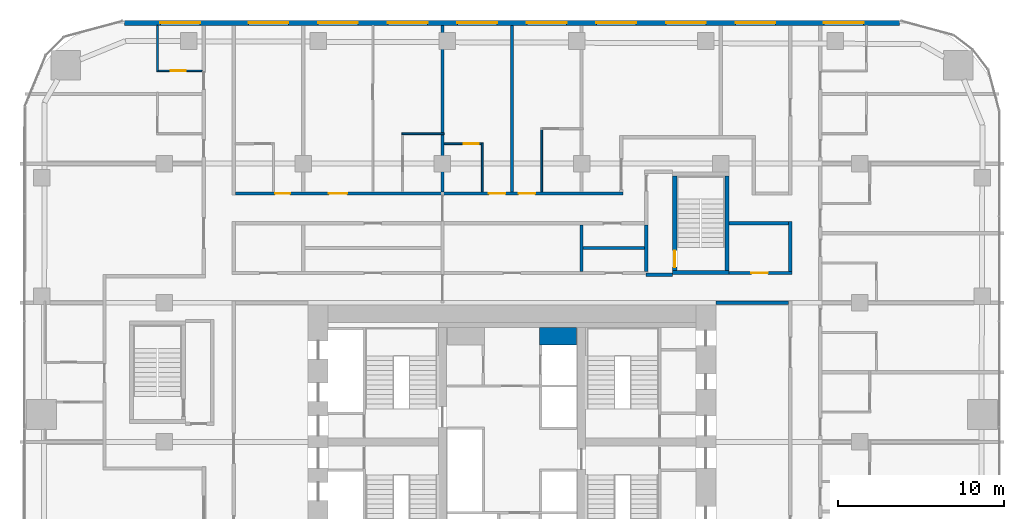
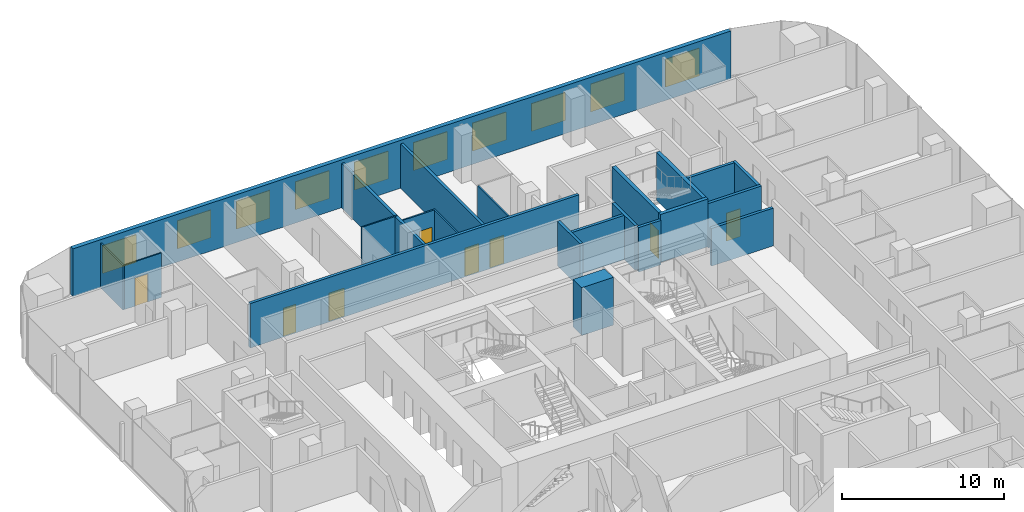
# One storey, part 22 of 26: 22 walls, 10 windows, 8 doors, 18 openings.
"""IFC4 building model written with IfcOpenShell, lengths in metres."""

from ifc_helpers import new_model, si_unit, direction, frame, frame_2d, origin, place, context, subcontext, project, spatial, rectangle, extrude, material, layer, layer_set, type_object, element, fill, save


model = new_model("IFC4")

# Units and contexts
model_context = context("Model", 3, precision=1e-05, world=origin(), true_north=direction((0.0, 1.0)))
body_context = subcontext(model_context, "Body", "Model", "MODEL_VIEW")
ifc_project = project(units=[si_unit("LENGTHUNIT", "METRE"), si_unit("AREAUNIT", "SQUARE_METRE"), si_unit("VOLUMEUNIT", "CUBIC_METRE"), si_unit("PLANEANGLEUNIT", "RADIAN"), si_unit("MASSUNIT", "GRAM", prefix="KILO")], contexts=[model_context])

# Site, building, storey
site_placement = place(None, origin())
site = spatial("IfcSite", under=ifc_project, at=site_placement, CompositionType="ELEMENT")
building_placement = place(site_placement, origin())
building = spatial("IfcBuilding", under=site, at=building_placement, Name="Marenta Gate Hotel Tower", CompositionType="ELEMENT")
storey_placement = place(building_placement, frame((0.0, 0.0, 79.699951171875)))
storey = spatial("IfcBuildingStorey", under=building, at=storey_placement, Name="L18", CompositionType="ELEMENT", Elevation=79.699951171875)

# Wall, openings, windows
ifc_material_1 = material(Name="Concrete C40 board-marked", Category="concrete")
ifc_layer_1 = layer(ifc_material_1, 0.300048828125)
ifc_layer_set_1 = layer_set([ifc_layer_1], Name="Concrete C40 board-marked")
wall_type_1 = type_object("IfcWallType", Name="Board-marked concrete wall 300 mm", PredefinedType="NOTDEFINED", material=ifc_layer_set_1)
wall_1_placement = place(storey_placement, frame((23.406005859375, 33.68994140625, 0.0), z_axis=(0.0, 0.0, 1.0), x_axis=(-1.0, 0.0, 0.0)))
wall_1 = element("IfcWall", 1, at=wall_1_placement, inside=storey, type_object=wall_type_1, Name="L18-CLD-N00", PredefinedType="NOTDEFINED", context=body_context, shape_type="SweptSolid", body=[
    extrude(rectangle(XDim=46.81201171875, YDim=0.300048828125, at=frame_2d((23.406005859375, 0.0))), origin(), (0.0, 0.0, 1.0), 3.60009765625),
])
opening_1_placement = place(wall_1_placement, frame((2.185791015625, 0.0, 0.89990234375)))
opening_1 = element("IfcOpeningElement", 2, at=opening_1_placement, cuts=wall_1, Name="Opening W1", PredefinedType="OPENING", context=body_context, shape_type="SweptSolid", body=[
    extrude(rectangle(XDim=2.39990234375, YDim=2.10009765625, at=frame_2d((1.199951171875, 1.050048828125))), frame((0.0, 0.14990234375, 0.0), z_axis=(0.0, -1.0, 0.0), x_axis=(1.0, 0.0, 0.0)), (0.0, 0.0, 1.0), 0.300048828125),
])
opening_2_placement = place(wall_1_placement, frame((7.505859375, 0.0, 0.89990234375)))
opening_2 = element("IfcOpeningElement", 3, at=opening_2_placement, cuts=wall_1, Name="Opening W1", PredefinedType="OPENING", context=body_context, shape_type="SweptSolid", body=[
    extrude(rectangle(XDim=2.39990234375, YDim=2.10009765625, at=frame_2d((1.199951171875, 1.050048828125))), frame((0.0, 0.14990234375, 0.0), z_axis=(0.0, -1.0, 0.0), x_axis=(1.0, 0.0, 0.0)), (0.0, 0.0, 1.0), 0.300048828125),
])
opening_3_placement = place(wall_1_placement, frame((11.705810546875, 0.0, 0.89990234375)))
opening_3 = element("IfcOpeningElement", 4, at=opening_3_placement, cuts=wall_1, Name="Opening W1", PredefinedType="OPENING", context=body_context, shape_type="SweptSolid", body=[
    extrude(rectangle(XDim=2.39990234375, YDim=2.10009765625, at=frame_2d((1.199951171875, 1.050048828125))), frame((0.0, 0.14990234375, 0.0), z_axis=(0.0, -1.0, 0.0), x_axis=(1.0, 0.0, 0.0)), (0.0, 0.0, 1.0), 0.300048828125),
])
opening_4_placement = place(wall_1_placement, frame((15.906005859375, 0.0, 0.89990234375)))
opening_4 = element("IfcOpeningElement", 5, at=opening_4_placement, cuts=wall_1, Name="Opening W1", PredefinedType="OPENING", context=body_context, shape_type="SweptSolid", body=[
    extrude(rectangle(XDim=2.39990234375, YDim=2.10009765625, at=frame_2d((1.199951171875, 1.050048828125))), frame((0.0, 0.14990234375, 0.0), z_axis=(0.0, -1.0, 0.0), x_axis=(1.0, 0.0, 0.0)), (0.0, 0.0, 1.0), 0.300048828125),
])
opening_5_placement = place(wall_1_placement, frame((20.10595703125, 0.0, 0.89990234375)))
opening_5 = element("IfcOpeningElement", 6, at=opening_5_placement, cuts=wall_1, Name="Opening W1", PredefinedType="OPENING", context=body_context, shape_type="SweptSolid", body=[
    extrude(rectangle(XDim=2.39990234375, YDim=2.10009765625, at=frame_2d((1.199951171875, 1.050048828125))), frame((0.0, 0.14990234375, 0.0), z_axis=(0.0, -1.0, 0.0), x_axis=(1.0, 0.0, 0.0)), (0.0, 0.0, 1.0), 0.300048828125),
])
opening_6_placement = place(wall_1_placement, frame((24.305908203125, 0.0, 0.89990234375)))
opening_6 = element("IfcOpeningElement", 7, at=opening_6_placement, cuts=wall_1, Name="Opening W1", PredefinedType="OPENING", context=body_context, shape_type="SweptSolid", body=[
    extrude(rectangle(XDim=2.39990234375, YDim=2.10009765625, at=frame_2d((1.199951171875, 1.050048828125))), frame((0.0, 0.14990234375, 0.0), z_axis=(0.0, -1.0, 0.0), x_axis=(1.0, 0.0, 0.0)), (0.0, 0.0, 1.0), 0.300048828125),
])
opening_7_placement = place(wall_1_placement, frame((28.505859375, 0.0, 0.89990234375)))
opening_7 = element("IfcOpeningElement", 8, at=opening_7_placement, cuts=wall_1, Name="Opening W1", PredefinedType="OPENING", context=body_context, shape_type="SweptSolid", body=[
    extrude(rectangle(XDim=2.39990234375, YDim=2.10009765625, at=frame_2d((1.199951171875, 1.050048828125))), frame((0.0, 0.14990234375, 0.0), z_axis=(0.0, -1.0, 0.0), x_axis=(1.0, 0.0, 0.0)), (0.0, 0.0, 1.0), 0.300048828125),
])
opening_8_placement = place(wall_1_placement, frame((32.705810546875, 0.0, 0.89990234375)))
opening_8 = element("IfcOpeningElement", 9, at=opening_8_placement, cuts=wall_1, Name="Opening W1", PredefinedType="OPENING", context=body_context, shape_type="SweptSolid", body=[
    extrude(rectangle(XDim=2.39990234375, YDim=2.10009765625, at=frame_2d((1.199951171875, 1.050048828125))), frame((0.0, 0.14990234375, 0.0), z_axis=(0.0, -1.0, 0.0), x_axis=(1.0, 0.0, 0.0)), (0.0, 0.0, 1.0), 0.300048828125),
])
opening_9_placement = place(wall_1_placement, frame((36.906005859375, 0.0, 0.89990234375)))
opening_9 = element("IfcOpeningElement", 10, at=opening_9_placement, cuts=wall_1, Name="Opening W1", PredefinedType="OPENING", context=body_context, shape_type="SweptSolid", body=[
    extrude(rectangle(XDim=2.39990234375, YDim=2.10009765625, at=frame_2d((1.199951171875, 1.050048828125))), frame((0.0, 0.14990234375, 0.0), z_axis=(0.0, -1.0, 0.0), x_axis=(1.0, 0.0, 0.0)), (0.0, 0.0, 1.0), 0.300048828125),
])
opening_10_placement = place(wall_1_placement, frame((42.225830078125, 0.0, 0.89990234375)))
opening_10 = element("IfcOpeningElement", 11, at=opening_10_placement, cuts=wall_1, Name="Opening W1", PredefinedType="OPENING", context=body_context, shape_type="SweptSolid", body=[
    extrude(rectangle(XDim=2.39990234375, YDim=2.10009765625, at=frame_2d((1.199951171875, 1.050048828125))), frame((0.0, 0.14990234375, 0.0), z_axis=(0.0, -1.0, 0.0), x_axis=(1.0, 0.0, 0.0)), (0.0, 0.0, 1.0), 0.300048828125),
])
ifc_material_2 = material(Name="Tinted insulated glass in bronze anodised frame", Category="glass")
window_type = type_object("IfcWindowType", Name="Window W1 2400x2100 bronze frame", PartitioningType="SINGLE_PANEL", PredefinedType="WINDOW", material=ifc_material_2)
window_1_placement = place(opening_1_placement, origin())
window_1 = element("IfcWindow", 12, at=window_1_placement, inside=storey, type_object=window_type, Name="Window W1", OverallHeight=2.10009765625, OverallWidth=2.39990234375, PartitioningType="SINGLE_PANEL", PredefinedType="WINDOW", context=body_context, shape_type="SweptSolid", body=[
    extrude(rectangle(XDim=2.39990234375, YDim=2.10009765625, at=frame_2d((1.199951171875, 1.050048828125))), frame((0.0, 0.030029296875, 0.0), z_axis=(0.0, -1.0, 0.0), x_axis=(1.0, 0.0, 0.0)), (0.0, 0.0, 1.0), 0.06005859375),
])
fill(opening_1, window_1)
window_2_placement = place(opening_2_placement, origin())
window_2 = element("IfcWindow", 13, at=window_2_placement, inside=storey, type_object=window_type, Name="Window W1", OverallHeight=2.10009765625, OverallWidth=2.39990234375, PartitioningType="SINGLE_PANEL", PredefinedType="WINDOW", context=body_context, shape_type="SweptSolid", body=[
    extrude(rectangle(XDim=2.39990234375, YDim=2.10009765625, at=frame_2d((1.199951171875, 1.050048828125))), frame((0.0, 0.030029296875, 0.0), z_axis=(0.0, -1.0, 0.0), x_axis=(1.0, 0.0, 0.0)), (0.0, 0.0, 1.0), 0.06005859375),
])
fill(opening_2, window_2)
window_3_placement = place(opening_3_placement, origin())
window_3 = element("IfcWindow", 14, at=window_3_placement, inside=storey, type_object=window_type, Name="Window W1", OverallHeight=2.10009765625, OverallWidth=2.39990234375, PartitioningType="SINGLE_PANEL", PredefinedType="WINDOW", context=body_context, shape_type="SweptSolid", body=[
    extrude(rectangle(XDim=2.39990234375, YDim=2.10009765625, at=frame_2d((1.199951171875, 1.050048828125))), frame((0.0, 0.030029296875, 0.0), z_axis=(0.0, -1.0, 0.0), x_axis=(1.0, 0.0, 0.0)), (0.0, 0.0, 1.0), 0.06005859375),
])
fill(opening_3, window_3)
window_4_placement = place(opening_4_placement, origin())
window_4 = element("IfcWindow", 15, at=window_4_placement, inside=storey, type_object=window_type, Name="Window W1", OverallHeight=2.10009765625, OverallWidth=2.39990234375, PartitioningType="SINGLE_PANEL", PredefinedType="WINDOW", context=body_context, shape_type="SweptSolid", body=[
    extrude(rectangle(XDim=2.39990234375, YDim=2.10009765625, at=frame_2d((1.199951171875, 1.050048828125))), frame((0.0, 0.030029296875, 0.0), z_axis=(0.0, -1.0, 0.0), x_axis=(1.0, 0.0, 0.0)), (0.0, 0.0, 1.0), 0.06005859375),
])
fill(opening_4, window_4)
window_5_placement = place(opening_5_placement, origin())
window_5 = element("IfcWindow", 16, at=window_5_placement, inside=storey, type_object=window_type, Name="Window W1", OverallHeight=2.10009765625, OverallWidth=2.39990234375, PartitioningType="SINGLE_PANEL", PredefinedType="WINDOW", context=body_context, shape_type="SweptSolid", body=[
    extrude(rectangle(XDim=2.39990234375, YDim=2.10009765625, at=frame_2d((1.199951171875, 1.050048828125))), frame((0.0, 0.030029296875, 0.0), z_axis=(0.0, -1.0, 0.0), x_axis=(1.0, 0.0, 0.0)), (0.0, 0.0, 1.0), 0.06005859375),
])
fill(opening_5, window_5)
window_6_placement = place(opening_6_placement, origin())
window_6 = element("IfcWindow", 17, at=window_6_placement, inside=storey, type_object=window_type, Name="Window W1", OverallHeight=2.10009765625, OverallWidth=2.39990234375, PartitioningType="SINGLE_PANEL", PredefinedType="WINDOW", context=body_context, shape_type="SweptSolid", body=[
    extrude(rectangle(XDim=2.39990234375, YDim=2.10009765625, at=frame_2d((1.199951171875, 1.050048828125))), frame((0.0, 0.030029296875, 0.0), z_axis=(0.0, -1.0, 0.0), x_axis=(1.0, 0.0, 0.0)), (0.0, 0.0, 1.0), 0.06005859375),
])
fill(opening_6, window_6)
window_7_placement = place(opening_7_placement, origin())
window_7 = element("IfcWindow", 18, at=window_7_placement, inside=storey, type_object=window_type, Name="Window W1", OverallHeight=2.10009765625, OverallWidth=2.39990234375, PartitioningType="SINGLE_PANEL", PredefinedType="WINDOW", context=body_context, shape_type="SweptSolid", body=[
    extrude(rectangle(XDim=2.39990234375, YDim=2.10009765625, at=frame_2d((1.199951171875, 1.050048828125))), frame((0.0, 0.030029296875, 0.0), z_axis=(0.0, -1.0, 0.0), x_axis=(1.0, 0.0, 0.0)), (0.0, 0.0, 1.0), 0.06005859375),
])
fill(opening_7, window_7)
window_8_placement = place(opening_8_placement, origin())
window_8 = element("IfcWindow", 19, at=window_8_placement, inside=storey, type_object=window_type, Name="Window W1", OverallHeight=2.10009765625, OverallWidth=2.39990234375, PartitioningType="SINGLE_PANEL", PredefinedType="WINDOW", context=body_context, shape_type="SweptSolid", body=[
    extrude(rectangle(XDim=2.39990234375, YDim=2.10009765625, at=frame_2d((1.199951171875, 1.050048828125))), frame((0.0, 0.030029296875, 0.0), z_axis=(0.0, -1.0, 0.0), x_axis=(1.0, 0.0, 0.0)), (0.0, 0.0, 1.0), 0.06005859375),
])
fill(opening_8, window_8)
window_9_placement = place(opening_9_placement, origin())
window_9 = element("IfcWindow", 20, at=window_9_placement, inside=storey, type_object=window_type, Name="Window W1", OverallHeight=2.10009765625, OverallWidth=2.39990234375, PartitioningType="SINGLE_PANEL", PredefinedType="WINDOW", context=body_context, shape_type="SweptSolid", body=[
    extrude(rectangle(XDim=2.39990234375, YDim=2.10009765625, at=frame_2d((1.199951171875, 1.050048828125))), frame((0.0, 0.030029296875, 0.0), z_axis=(0.0, -1.0, 0.0), x_axis=(1.0, 0.0, 0.0)), (0.0, 0.0, 1.0), 0.06005859375),
])
fill(opening_9, window_9)
window_10_placement = place(opening_10_placement, origin())
window_10 = element("IfcWindow", 21, at=window_10_placement, inside=storey, type_object=window_type, Name="Window W1", OverallHeight=2.10009765625, OverallWidth=2.39990234375, PartitioningType="SINGLE_PANEL", PredefinedType="WINDOW", context=body_context, shape_type="SweptSolid", body=[
    extrude(rectangle(XDim=2.39990234375, YDim=2.10009765625, at=frame_2d((1.199951171875, 1.050048828125))), frame((0.0, 0.030029296875, 0.0), z_axis=(0.0, -1.0, 0.0), x_axis=(1.0, 0.0, 0.0)), (0.0, 0.0, 1.0), 0.06005859375),
])
fill(opening_10, window_10)

# Walls
ifc_material_3 = material(Name="Concrete blockwork", Category="masonry")
ifc_layer_2 = layer(ifc_material_3, 0.199951171875)
ifc_layer_set_2 = layer_set([ifc_layer_2], Name="Concrete blockwork")
wall_type_2 = type_object("IfcWallType", Name="Compartment wall 200 REI 180", PredefinedType="PARTITIONING", material=ifc_layer_set_2)
wall_2_placement = place(storey_placement, frame((-4.199951171875, 23.5, 0.0), z_axis=(0.0, 0.0, 1.0), x_axis=(0.0, 1.0, 0.0)))
element("IfcWall", 22, at=wall_2_placement, inside=storey, type_object=wall_type_2, Name="L18-PTN-W080", PredefinedType="PARTITIONING", context=body_context, shape_type="SweptSolid", body=[
    extrude(rectangle(XDim=10.0400390625, YDim=0.199951171875, at=frame_2d((5.02001953125, 0.0))), origin(), (0.0, 0.0, 1.0), 3.340087890625),
])
ifc_material_4 = material(Name="Concrete blockwork", Category="masonry")
ifc_layer_3 = layer(ifc_material_4, 0.199951171875)
ifc_layer_set_3 = layer_set([ifc_layer_3], Name="Concrete blockwork")
wall_type_3 = type_object("IfcWallType", Name="Core boundary wall 200 REI 180", PredefinedType="PARTITIONING", material=ifc_layer_set_3)
wall_3_placement = place(storey_placement, frame((12.300048828125, 16.800048828125, 0.0), z_axis=(0.0, 0.0, 1.0), x_axis=(1.0, 0.0, 0.0)))
element("IfcWall", 23, at=wall_3_placement, inside=storey, type_object=wall_type_3, Name="L18-CP-EW-EN", PredefinedType="PARTITIONING", context=body_context, shape_type="SweptSolid", body=[
    extrude(rectangle(XDim=4.39990234375, YDim=0.199951171875, at=frame_2d((2.199951171875, 0.0))), origin(), (0.0, 0.0, 1.0), 2.840087890625),
])
ifc_material_5 = material(Name="Concrete C40", Category="concrete")
ifc_layer_4 = layer(ifc_material_5, 1.050048828125)
ifc_layer_set_4 = layer_set([ifc_layer_4], Name="Concrete C40")
wall_type_4 = type_object("IfcWallType", Name="Core shaft wall 1050 REI 180", PredefinedType="SHEAR", material=ifc_layer_set_4)
wall_4_placement = place(storey_placement, frame((1.64990234375, 14.77490234375, 0.0), z_axis=(0.0, 0.0, 1.0), x_axis=(1.0, 0.0, 0.0)))
element("IfcWall", 24, at=wall_4_placement, inside=storey, type_object=wall_type_4, Name="L18-SHF-CE-N-top", PredefinedType="SHEAR", context=body_context, shape_type="SweptSolid", body=[
    extrude(rectangle(XDim=2.25, YDim=1.050048828125, at=frame_2d((1.125, 0.0))), origin(), (0.0, 0.0, 1.0), 3.60009765625),
])
ifc_material_6 = material(Name="Concrete C40", Category="concrete")
ifc_layer_5 = layer(ifc_material_6, 0.25)
ifc_layer_set_5 = layer_set([ifc_layer_5], Name="Concrete C40")
wall_type_5 = type_object("IfcWallType", Name="Remote stair enclosure wall 250 REI 180", PredefinedType="SHEAR", material=ifc_layer_set_5)
wall_5_placement = place(storey_placement, frame((9.699951171875, 18.625, 0.10009765625), z_axis=(0.0, 0.0, 1.0), x_axis=(1.0, 0.0, 0.0)))
element("IfcWall", 25, at=wall_5_placement, inside=storey, type_object=wall_type_5, Name="L18-RS-Z1-4-W1", PredefinedType="SHEAR", context=body_context, shape_type="SweptSolid", body=[
    extrude(rectangle(XDim=3.400146484375, YDim=0.25, at=frame_2d((1.7001953125, 0.0))), origin(), (0.0, 0.0, 1.0), 3.599853515625),
])

# Wall, opening, door
wall_6_placement = place(storey_placement, frame((9.824951171875, 18.75, 0.10009765625), z_axis=(0.0, 0.0, 1.0), x_axis=(0.0, 1.0, 0.0)))
wall_6 = element("IfcWall", 26, at=wall_6_placement, inside=storey, type_object=wall_type_5, Name="L18-RS-Z1-4-W3", PredefinedType="SHEAR", context=body_context, shape_type="SweptSolid", body=[
    extrude(rectangle(XDim=5.699951171875, YDim=0.25, at=frame_2d((2.85009765625, 0.0))), origin(), (0.0, 0.0, 1.0), 3.599853515625),
])
opening_11_placement = place(wall_6_placement, frame((0.199951171875, 0.0, 0.0)))
opening_11 = element("IfcOpeningElement", 27, at=opening_11_placement, cuts=wall_6, Name="Opening VD", PredefinedType="OPENING", context=body_context, shape_type="SweptSolid", body=[
    extrude(rectangle(XDim=1.0, YDim=2.10009765625, at=frame_2d((0.5, 1.050048828125))), frame((0.0, 0.125, 0.0), z_axis=(0.0, -1.0, 0.0), x_axis=(1.0, 0.0, 0.0)), (0.0, 0.0, 1.0), 0.25),
])
ifc_material_7 = material(Name="Steel", Category="steel")
door_type_1 = type_object("IfcDoorType", Name="Stair vestibule door 1000x2100 FD60", OperationType="SINGLE_SWING_LEFT", PredefinedType="DOOR", material=ifc_material_7)
door_1_placement = place(opening_11_placement, origin())
door_1 = element("IfcDoor", 28, at=door_1_placement, inside=storey, type_object=door_type_1, Name="VD", OperationType="SINGLE_SWING_LEFT", OverallHeight=2.10009765625, OverallWidth=1.0, PredefinedType="DOOR", context=body_context, shape_type="SweptSolid", body=[
    extrude(rectangle(XDim=1.0, YDim=2.10009765625, at=frame_2d((0.5, 1.050048828125))), frame((0.0, 0.02490234375, 0.0), z_axis=(0.0, -1.0, 0.0), x_axis=(1.0, 0.0, 0.0)), (0.0, 0.0, 1.0), 0.050048828125),
])
fill(opening_11, door_1)

# Walls
wall_7_placement = place(storey_placement, frame((12.97509765625, 18.75, 0.10009765625), z_axis=(0.0, 0.0, 1.0), x_axis=(0.0, 1.0, 0.0)))
element("IfcWall", 29, at=wall_7_placement, inside=storey, type_object=wall_type_5, Name="L18-RS-Z1-4-W4", PredefinedType="SHEAR", context=body_context, shape_type="SweptSolid", body=[
    extrude(rectangle(XDim=5.699951171875, YDim=0.25, at=frame_2d((2.85009765625, 0.0))), origin(), (0.0, 0.0, 1.0), 3.599853515625),
])
ifc_material_8 = material(Name="Concrete blockwork", Category="masonry")
ifc_layer_6 = layer(ifc_material_8, 0.199951171875)
ifc_layer_set_6 = layer_set([ifc_layer_6], Name="Concrete blockwork")
wall_type_6 = type_object("IfcWallType", Name="Room corridor wall 200 EI 120", PredefinedType="PARTITIONING", material=ifc_layer_set_6)
wall_8_placement = place(storey_placement, frame((16.800048828125, 18.699951171875, 0.0), z_axis=(0.0, 0.0, 1.0), x_axis=(0.0, 1.0, 0.0)))
element("IfcWall", 30, at=wall_8_placement, inside=storey, type_object=wall_type_6, Name="L18-PTN-W018", PredefinedType="PARTITIONING", context=body_context, shape_type="SweptSolid", body=[
    extrude(rectangle(XDim=3.0, YDim=0.199951171875, at=frame_2d((1.5, 0.0))), origin(), (0.0, 0.0, 1.0), 3.340087890625),
])

# Wall, opening, door
wall_9_placement = place(storey_placement, frame((13.10009765625, 18.60009765625, 0.0), z_axis=(0.0, 0.0, 1.0), x_axis=(1.0, 0.0, 0.0)))
wall_9 = element("IfcWall", 31, at=wall_9_placement, inside=storey, type_object=wall_type_6, Name="L18-PTN-W119", PredefinedType="PARTITIONING", context=body_context, shape_type="SweptSolid", body=[
    extrude(rectangle(XDim=3.7998046875, YDim=0.199951171875, at=frame_2d((1.89990234375, 0.0))), origin(), (0.0, 0.0, 1.0), 3.340087890625),
])
opening_12_placement = place(wall_9_placement, frame((1.35009765625, 0.0, 0.0)))
opening_12 = element("IfcOpeningElement", 32, at=opening_12_placement, cuts=wall_9, Name="Opening G07-03", PredefinedType="OPENING", context=body_context, shape_type="SweptSolid", body=[
    extrude(rectangle(XDim=1.0, YDim=2.10009765625, at=frame_2d((0.5, 1.050048828125))), frame((0.0, 0.10009765625, 0.0), z_axis=(0.0, -1.0, 0.0), x_axis=(1.0, 0.0, 0.0)), (0.0, 0.0, 1.0), 0.199951171875),
])
ifc_material_9 = material(Name="Hollow steel door set", Category="steel")
door_type_2 = type_object("IfcDoorType", Name="Room service door 1000x2100 EI 60", OperationType="NOTDEFINED", PredefinedType="DOOR", material=ifc_material_9)
door_2_placement = place(opening_12_placement, origin())
door_2 = element("IfcDoor", 33, at=door_2_placement, inside=storey, type_object=door_type_2, Name="L18-PD-D003", OperationType="SINGLE_SWING_RIGHT", OverallHeight=2.10009765625, OverallWidth=1.0, PredefinedType="DOOR", context=body_context, shape_type="SweptSolid", body=[
    extrude(rectangle(XDim=1.0, YDim=2.10009765625, at=frame_2d((0.5, 1.050048828125))), frame((0.0, 0.02490234375, 0.0), z_axis=(0.0, -1.0, 0.0), x_axis=(1.0, 0.0, 0.0)), (0.0, 0.0, 1.0), 0.050048828125),
])
fill(opening_12, door_2)

# Wall
wall_10_placement = place(storey_placement, frame((13.10009765625, 21.60009765625, 0.0), z_axis=(0.0, 0.0, 1.0), x_axis=(1.0, 0.0, 0.0)))
element("IfcWall", 34, at=wall_10_placement, inside=storey, type_object=wall_type_6, Name="L18-PTN-W127", PredefinedType="PARTITIONING", context=body_context, shape_type="SweptSolid", body=[
    extrude(rectangle(XDim=3.599853515625, YDim=0.199951171875, at=frame_2d((1.7998046875, 0.0))), origin(), (0.0, 0.0, 1.0), 3.340087890625),
])

# Wall, openings, doors
ifc_material_10 = material(Name="Gypsum board on steel stud", Category="steel")
ifc_layer_7 = layer(ifc_material_10, 0.199951171875)
ifc_layer_set_7 = layer_set([ifc_layer_7], Name="Gypsum board on steel stud")
wall_type_7 = type_object("IfcWallType", Name="Room corridor wall 200 EI 60", PredefinedType="PARTITIONING", material=ifc_layer_set_7)
wall_11_placement = place(storey_placement, frame((-16.699951171875, 23.39990234375, 0.0), z_axis=(0.0, 0.0, 1.0), x_axis=(1.0, 0.0, 0.0)))
wall_11 = element("IfcWall", 35, at=wall_11_placement, inside=storey, type_object=wall_type_7, Name="L18-PTN-W131", PredefinedType="PARTITIONING", context=body_context, shape_type="SweptSolid", body=[
    extrude(rectangle(XDim=23.39990234375, YDim=0.199951171875, at=frame_2d((11.699951171875, 0.0))), origin(), (0.0, 0.0, 1.0), 3.340087890625),
])
opening_13_placement = place(wall_11_placement, frame((2.39990234375, 0.0, 0.0)))
opening_13 = element("IfcOpeningElement", 36, at=opening_13_placement, cuts=wall_11, Name="Opening G07-31", PredefinedType="OPENING", context=body_context, shape_type="SweptSolid", body=[
    extrude(rectangle(XDim=0.89990234375, YDim=2.10009765625, at=frame_2d((0.449951171875, 1.050048828125))), frame((0.0, 0.10009765625, 0.0), z_axis=(0.0, -1.0, 0.0), x_axis=(1.0, 0.0, 0.0)), (0.0, 0.0, 1.0), 0.199951171875),
])
opening_14_placement = place(wall_11_placement, frame((5.64990234375, 0.0, 0.0)))
opening_14 = element("IfcOpeningElement", 37, at=opening_14_placement, cuts=wall_11, Name="Opening G07-33", PredefinedType="OPENING", context=body_context, shape_type="SweptSolid", body=[
    extrude(rectangle(XDim=1.10009765625, YDim=2.10009765625, at=frame_2d((0.550048828125, 1.050048828125))), frame((0.0, 0.10009765625, 0.0), z_axis=(0.0, -1.0, 0.0), x_axis=(1.0, 0.0, 0.0)), (0.0, 0.0, 1.0), 0.199951171875),
])
opening_15_placement = place(wall_11_placement, frame((15.300048828125, 0.0, 0.0)))
opening_15 = element("IfcOpeningElement", 38, at=opening_15_placement, cuts=wall_11, Name="Opening G07-36", PredefinedType="OPENING", context=body_context, shape_type="SweptSolid", body=[
    extrude(rectangle(XDim=1.0, YDim=2.10009765625, at=frame_2d((0.5, 1.050048828125))), frame((0.0, 0.10009765625, 0.0), z_axis=(0.0, -1.0, 0.0), x_axis=(1.0, 0.0, 0.0)), (0.0, 0.0, 1.0), 0.199951171875),
])
opening_16_placement = place(wall_11_placement, frame((17.10009765625, 0.0, 0.0)))
opening_16 = element("IfcOpeningElement", 39, at=opening_16_placement, cuts=wall_11, Name="Opening G07-38", PredefinedType="OPENING", context=body_context, shape_type="SweptSolid", body=[
    extrude(rectangle(XDim=1.0, YDim=2.10009765625, at=frame_2d((0.5, 1.050048828125))), frame((0.0, 0.10009765625, 0.0), z_axis=(0.0, -1.0, 0.0), x_axis=(1.0, 0.0, 0.0)), (0.0, 0.0, 1.0), 0.199951171875),
])
ifc_material_11 = material(Name="Timber door leaf", Category="wood")
door_type_3 = type_object("IfcDoorType", Name="Guest room door 1000x2100 EI 30", OperationType="NOTDEFINED", PredefinedType="DOOR", material=ifc_material_11)
door_3_placement = place(opening_15_placement, origin())
door_3 = element("IfcDoor", 40, at=door_3_placement, inside=storey, type_object=door_type_3, Name="L18-PD-D036", OperationType="SINGLE_SWING_LEFT", OverallHeight=2.10009765625, OverallWidth=1.0, PredefinedType="DOOR", context=body_context, shape_type="SweptSolid", body=[
    extrude(rectangle(XDim=1.0, YDim=2.10009765625, at=frame_2d((0.5, 1.050048828125))), frame((0.0, 0.02490234375, 0.0), z_axis=(0.0, -1.0, 0.0), x_axis=(1.0, 0.0, 0.0)), (0.0, 0.0, 1.0), 0.050048828125),
])
fill(opening_15, door_3)
door_4_placement = place(opening_16_placement, origin())
door_4 = element("IfcDoor", 41, at=door_4_placement, inside=storey, type_object=door_type_3, Name="L18-PD-D038", OperationType="SINGLE_SWING_LEFT", OverallHeight=2.10009765625, OverallWidth=1.0, PredefinedType="DOOR", context=body_context, shape_type="SweptSolid", body=[
    extrude(rectangle(XDim=1.0, YDim=2.10009765625, at=frame_2d((0.5, 1.050048828125))), frame((0.0, 0.02490234375, 0.0), z_axis=(0.0, -1.0, 0.0), x_axis=(1.0, 0.0, 0.0)), (0.0, 0.0, 1.0), 0.050048828125),
])
fill(opening_16, door_4)
ifc_material_12 = material(Name="Timber door leaf", Category="wood")
door_type_4 = type_object("IfcDoorType", Name="Guest room door 1100x2100 EI 30", OperationType="NOTDEFINED", PredefinedType="DOOR", material=ifc_material_12)
door_5_placement = place(opening_14_placement, origin())
door_5 = element("IfcDoor", 42, at=door_5_placement, inside=storey, type_object=door_type_4, Name="L18-PD-D033", OperationType="SINGLE_SWING_RIGHT", OverallHeight=2.10009765625, OverallWidth=1.10009765625, PredefinedType="DOOR", context=body_context, shape_type="SweptSolid", body=[
    extrude(rectangle(XDim=1.10009765625, YDim=2.10009765625, at=frame_2d((0.550048828125, 1.050048828125))), frame((0.0, 0.02490234375, 0.0), z_axis=(0.0, -1.0, 0.0), x_axis=(1.0, 0.0, 0.0)), (0.0, 0.0, 1.0), 0.050048828125),
])
fill(opening_14, door_5)
ifc_material_13 = material(Name="Timber door leaf", Category="wood")
door_type_5 = type_object("IfcDoorType", Name="Guest room door 900x2100 EI 30", OperationType="NOTDEFINED", PredefinedType="DOOR", material=ifc_material_13)
door_6_placement = place(opening_13_placement, origin())
door_6 = element("IfcDoor", 43, at=door_6_placement, inside=storey, type_object=door_type_5, Name="L18-PD-D031", OperationType="SINGLE_SWING_LEFT", OverallHeight=2.10009765625, OverallWidth=0.89990234375, PredefinedType="DOOR", context=body_context, shape_type="SweptSolid", body=[
    extrude(rectangle(XDim=0.89990234375, YDim=2.10009765625, at=frame_2d((0.449951171875, 1.050048828125))), frame((0.0, 0.02490234375, 0.0), z_axis=(0.0, -1.0, 0.0), x_axis=(1.0, 0.0, 0.0)), (0.0, 0.0, 1.0), 0.050048828125),
])
fill(opening_13, door_6)

# Walls
ifc_material_14 = material(Name="Concrete blockwork", Category="masonry")
ifc_layer_8 = layer(ifc_material_14, 0.199951171875)
ifc_layer_set_8 = layer_set([ifc_layer_8], Name="Concrete blockwork")
wall_type_8 = type_object("IfcWallType", Name="Room corridor wall 200 REI 180", PredefinedType="PARTITIONING", material=ifc_layer_set_8)
wall_12_placement = place(storey_placement, frame((8.10009765625, 18.5, 0.0), z_axis=(0.0, 0.0, 1.0), x_axis=(1.0, 0.0, 0.0)))
element("IfcWall", 44, at=wall_12_placement, inside=storey, type_object=wall_type_8, Name="L18-PTN-W115", PredefinedType="PARTITIONING", context=body_context, shape_type="SweptSolid", body=[
    extrude(rectangle(XDim=1.599853515625, YDim=0.199951171875, at=frame_2d((0.7998046875, 0.0))), origin(), (0.0, 0.0, 1.0), 3.340087890625),
])
ifc_material_15 = material(Name="Gypsum board on steel stud", Category="steel")
ifc_layer_9 = layer(ifc_material_15, 0.10009765625)
ifc_layer_set_9 = layer_set([ifc_layer_9], Name="Gypsum board on steel stud")
wall_type_9 = type_object("IfcWallType", Name="Room partition 100", PredefinedType="PARTITIONING", material=ifc_layer_set_9)
wall_13_placement = place(storey_placement, frame((1.800048828125, 23.5, 0.0), z_axis=(0.0, 0.0, 1.0), x_axis=(0.0, 1.0, 0.0)))
element("IfcWall", 45, at=wall_13_placement, inside=storey, type_object=wall_type_9, Name="L18-PTN-W066", PredefinedType="PARTITIONING", context=body_context, shape_type="SweptSolid", body=[
    extrude(rectangle(XDim=3.75, YDim=0.10009765625, at=frame_2d((1.875, 0.0))), origin(), (0.0, 0.0, 1.0), 3.340087890625),
])
wall_14_placement = place(storey_placement, frame((-1.800048828125, 23.5, 0.0), z_axis=(0.0, 0.0, 1.0), x_axis=(0.0, 1.0, 0.0)))
element("IfcWall", 46, at=wall_14_placement, inside=storey, type_object=wall_type_9, Name="L18-PTN-W075", PredefinedType="PARTITIONING", context=body_context, shape_type="SweptSolid", body=[
    extrude(rectangle(XDim=2.949951171875, YDim=0.10009765625, at=frame_2d((1.47509765625, 0.0))), origin(), (0.0, 0.0, 1.0), 3.340087890625),
])
wall_15_placement = place(storey_placement, frame((-21.39990234375, 30.75, 0.0), z_axis=(0.0, 0.0, 1.0), x_axis=(0.0, 1.0, 0.0)))
element("IfcWall", 47, at=wall_15_placement, inside=storey, type_object=wall_type_9, Name="L18-PTN-W125", PredefinedType="PARTITIONING", context=body_context, shape_type="SweptSolid", body=[
    extrude(rectangle(XDim=2.7900390625, YDim=0.10009765625, at=frame_2d((1.39501953125, 0.0))), origin(), (0.0, 0.0, 1.0), 3.340087890625),
])

# Wall, opening, door
wall_16_placement = place(storey_placement, frame((-4.10009765625, 26.39990234375, 0.0), z_axis=(0.0, 0.0, 1.0), x_axis=(1.0, 0.0, 0.0)))
wall_16 = element("IfcWall", 48, at=wall_16_placement, inside=storey, type_object=wall_type_9, Name="L18-PTN-W138", PredefinedType="PARTITIONING", context=body_context, shape_type="SweptSolid", body=[
    extrude(rectangle(XDim=2.25, YDim=0.10009765625, at=frame_2d((1.125, 0.0))), origin(), (0.0, 0.0, 1.0), 3.340087890625),
])
opening_17_placement = place(wall_16_placement, frame((1.199951171875, 0.0, 0.0)))
opening_17 = element("IfcOpeningElement", 49, at=opening_17_placement, cuts=wall_16, Name="Opening G07-37", PredefinedType="OPENING", context=body_context, shape_type="SweptSolid", body=[
    extrude(rectangle(XDim=0.89990234375, YDim=2.10009765625, at=frame_2d((0.449951171875, 1.050048828125))), frame((0.0, 0.050048828125, 0.0), z_axis=(0.0, -1.0, 0.0), x_axis=(1.0, 0.0, 0.0)), (0.0, 0.0, 1.0), 0.10009765625),
])
ifc_material_16 = material(Name="Timber door leaf", Category="wood")
door_type_6 = type_object("IfcDoorType", Name="Guest bathroom door 900x2100", OperationType="NOTDEFINED", PredefinedType="DOOR", material=ifc_material_16)
door_7_placement = place(opening_17_placement, origin())
door_7 = element("IfcDoor", 50, at=door_7_placement, inside=storey, type_object=door_type_6, Name="L18-PD-D037", OperationType="SINGLE_SWING_LEFT", OverallHeight=2.10009765625, OverallWidth=0.89990234375, PredefinedType="DOOR", context=body_context, shape_type="SweptSolid", body=[
    extrude(rectangle(XDim=0.89990234375, YDim=2.10009765625, at=frame_2d((0.449951171875, 1.050048828125))), frame((0.0, 0.02490234375, 0.0), z_axis=(0.0, -1.0, 0.0), x_axis=(1.0, 0.0, 0.0)), (0.0, 0.0, 1.0), 0.050048828125),
])
fill(opening_17, door_7)

# Wall
wall_17_placement = place(storey_placement, frame((-6.64990234375, 27.0, 0.0), z_axis=(0.0, 0.0, 1.0), x_axis=(1.0, 0.0, 0.0)))
element("IfcWall", 51, at=wall_17_placement, inside=storey, type_object=wall_type_9, Name="L18-PTN-W141", PredefinedType="PARTITIONING", context=body_context, shape_type="SweptSolid", body=[
    extrude(rectangle(XDim=2.5498046875, YDim=0.10009765625, at=frame_2d((1.27490234375, 0.0))), origin(), (0.0, 0.0, 1.0), 3.340087890625),
])

# Wall, opening, door
wall_18_placement = place(storey_placement, frame((-21.35009765625, 30.800048828125, 0.0), z_axis=(0.0, 0.0, 1.0), x_axis=(1.0, 0.0, 0.0)))
wall_18 = element("IfcWall", 52, at=wall_18_placement, inside=storey, type_object=wall_type_9, Name="L18-PTN-W148", PredefinedType="PARTITIONING", context=body_context, shape_type="SweptSolid", body=[
    extrude(rectangle(XDim=2.650146484375, YDim=0.10009765625, at=frame_2d((1.3251953125, 0.0))), origin(), (0.0, 0.0, 1.0), 3.340087890625),
])
opening_18_placement = place(wall_18_placement, frame((0.760009765625, 0.0, 0.0)))
opening_18 = element("IfcOpeningElement", 53, at=opening_18_placement, cuts=wall_18, Name="Opening G07-63", PredefinedType="OPENING", context=body_context, shape_type="SweptSolid", body=[
    extrude(rectangle(XDim=0.89990234375, YDim=2.10009765625, at=frame_2d((0.449951171875, 1.050048828125))), frame((0.0, 0.050048828125, 0.0), z_axis=(0.0, -1.0, 0.0), x_axis=(1.0, 0.0, 0.0)), (0.0, 0.0, 1.0), 0.10009765625),
])
door_8_placement = place(opening_18_placement, origin())
door_8 = element("IfcDoor", 54, at=door_8_placement, inside=storey, type_object=door_type_6, Name="L18-PD-D063", OperationType="SINGLE_SWING_LEFT", OverallHeight=2.10009765625, OverallWidth=0.89990234375, PredefinedType="DOOR", context=body_context, shape_type="SweptSolid", body=[
    extrude(rectangle(XDim=0.89990234375, YDim=2.10009765625, at=frame_2d((0.449951171875, 1.050048828125))), frame((0.0, 0.02490234375, 0.0), z_axis=(0.0, -1.0, 0.0), x_axis=(1.0, 0.0, 0.0)), (0.0, 0.0, 1.0), 0.050048828125),
])
fill(opening_18, door_8)

# Walls
ifc_material_17 = material(Name="Gypsum board on steel stud", Category="steel")
ifc_layer_10 = layer(ifc_material_17, 0.199951171875)
ifc_layer_set_10 = layer_set([ifc_layer_10], Name="Gypsum board on steel stud")
wall_type_10 = type_object("IfcWallType", Name="Room party wall 200 EI 60", PredefinedType="PARTITIONING", material=ifc_layer_set_10)
wall_19_placement = place(storey_placement, frame((4.199951171875, 18.699951171875, 0.0), z_axis=(0.0, 0.0, 1.0), x_axis=(0.0, 1.0, 0.0)))
element("IfcWall", 55, at=wall_19_placement, inside=storey, type_object=wall_type_10, Name="L18-PTN-W059", PredefinedType="PARTITIONING", context=body_context, shape_type="SweptSolid", body=[
    extrude(rectangle(XDim=2.800048828125, YDim=0.199951171875, at=frame_2d((1.39990234375, 0.0))), origin(), (0.0, 0.0, 1.0), 3.340087890625),
])
wall_20_placement = place(storey_placement, frame((0.0, 23.5, 0.0), z_axis=(0.0, 0.0, 1.0), x_axis=(0.0, 1.0, 0.0)))
element("IfcWall", 56, at=wall_20_placement, inside=storey, type_object=wall_type_10, Name="L18-PTN-W072", PredefinedType="PARTITIONING", context=body_context, shape_type="SweptSolid", body=[
    extrude(rectangle(XDim=10.0400390625, YDim=0.199951171875, at=frame_2d((5.02001953125, 0.0))), origin(), (0.0, 0.0, 1.0), 3.340087890625),
])
wall_21_placement = place(storey_placement, frame((4.300048828125, 20.10009765625, 0.0), z_axis=(0.0, 0.0, 1.0), x_axis=(1.0, 0.0, 0.0)))
element("IfcWall", 57, at=wall_21_placement, inside=storey, type_object=wall_type_10, Name="L18-PTN-W122", PredefinedType="PARTITIONING", context=body_context, shape_type="SweptSolid", body=[
    extrude(rectangle(XDim=3.699951171875, YDim=0.199951171875, at=frame_2d((1.85009765625, 0.0))), origin(), (0.0, 0.0, 1.0), 3.340087890625),
])
ifc_material_18 = material(Name="Concrete blockwork", Category="masonry")
ifc_layer_11 = layer(ifc_material_18, 0.199951171875)
ifc_layer_set_11 = layer_set([ifc_layer_11], Name="Concrete blockwork")
wall_type_11 = type_object("IfcWallType", Name="Room party wall 200 REI 180", PredefinedType="PARTITIONING", material=ifc_layer_set_11)
wall_22_placement = place(storey_placement, frame((8.10009765625, 18.699951171875, 0.0), z_axis=(0.0, 0.0, 1.0), x_axis=(0.0, 1.0, 0.0)))
element("IfcWall", 58, at=wall_22_placement, inside=storey, type_object=wall_type_11, Name="L18-PTN-W048", PredefinedType="PARTITIONING", context=body_context, shape_type="SweptSolid", body=[
    extrude(rectangle(XDim=2.800048828125, YDim=0.199951171875, at=frame_2d((1.39990234375, 0.0))), origin(), (0.0, 0.0, 1.0), 3.340087890625),
])

save(model, "model.ifc")
